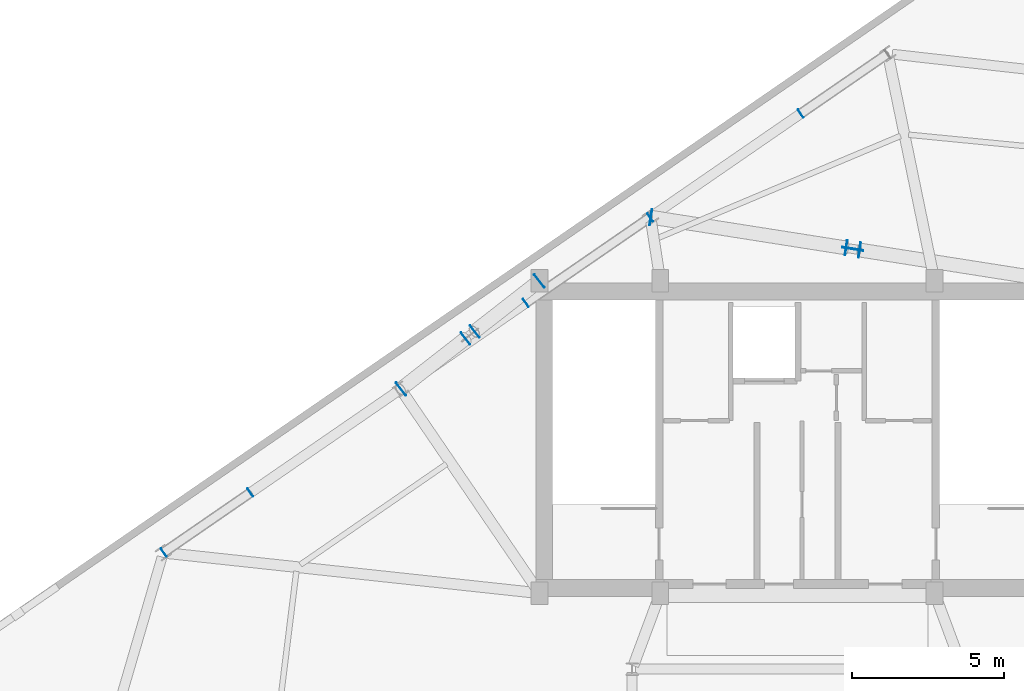
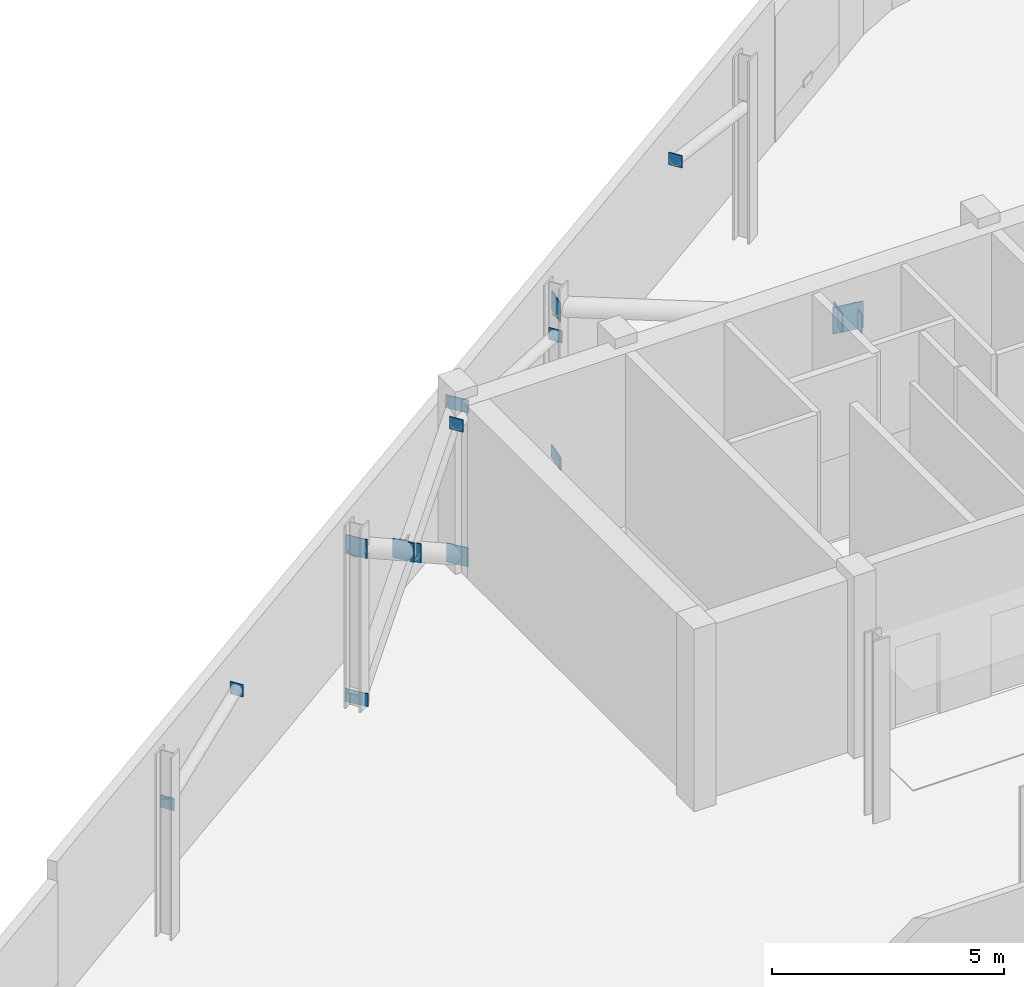
# One storey, part 6 of 10: 16 plates.
"""IFC4 building model written with IfcOpenShell, lengths in metres."""

from ifc_helpers import new_model, si_unit, direction, frame, origin, origin_2d, place, context, subcontext, project, spatial, rectangle, extrude, source, transform, mapped, material, layer, layer_set, type_object, element, save


model = new_model("IFC4")

# Units and contexts
model_context = context("Model", 3, precision=1e-05, world=origin(), true_north=direction((0.0, 1.0)))
body_context = subcontext(model_context, "Body", "Model", "MODEL_VIEW")
ifc_project = project(units=[si_unit("LENGTHUNIT", "METRE"), si_unit("AREAUNIT", "SQUARE_METRE"), si_unit("VOLUMEUNIT", "CUBIC_METRE"), si_unit("PLANEANGLEUNIT", "RADIAN"), si_unit("MASSUNIT", "GRAM", prefix="KILO")], contexts=[model_context])

# Site, building, storey
site_placement = place(None, origin())
site = spatial("IfcSite", under=ifc_project, at=site_placement, CompositionType="ELEMENT")
building_placement = place(site_placement, origin())
building = spatial("IfcBuilding", under=site, at=building_placement, Name="Varnelok Gate Tower", CompositionType="ELEMENT")
storey_placement = place(building_placement, frame((0.0, 0.0, 305.89990234375)))
storey = spatial("IfcBuildingStorey", under=building, at=storey_placement, Name="L78", CompositionType="ELEMENT", Elevation=305.89990234375)

# Plates
ifc_material = material(Name="Structural Steel ASTM A572 Grade 50", Category="steel")
ifc_layer_1 = layer(ifc_material, 0.02490234375)
ifc_layer_set_1 = layer_set([ifc_layer_1], Name="Structural Steel ASTM A572 Grade 50")
plate_type_1 = type_object("IfcPlateType", Name="PLT-ENDCAP-25", PredefinedType="SHEET", material=ifc_layer_set_1)
shared_shape_1 = source(origin(), body_context, "Body", "SweptSolid", [
    extrude(rectangle(XDim=0.02490234375, YDim=0.5400390625, at=origin_2d()), origin(), (0.0, 0.0, 1.0), 0.340087890625),
])
for number, where, z_axis, x_axis, name in (
    (1, (26.12841796875, 35.482421875, 0.0380859375), (0.0, 0.0, 1.0), (0.788354480922, 0.615221271097, 0.0), "L78 hollow member sealed end plate 1"),
    (2, (30.691162109375, 39.04296875, 4.01220703125), (0.0, 0.0, 1.0), (0.788354480922, 0.615221271097, 0.0), "L78 hollow member sealed end plate 2"),
    (3, (34.367919921875, 41.146240234375, 0.0341796875), (0.0, 0.0, 1.0), (0.987865174247, -0.155313867735, 0.0), "L78 hollow member sealed end plate 1"),
):
    element("IfcPlate", number, at=place(storey_placement, frame(where, z_axis=z_axis, x_axis=x_axis)), inside=storey, type_object=plate_type_1, Name=name, PredefinedType="SHEET", context=body_context, shape_type="MappedRepresentation", body=[
        mapped(shared_shape_1, transform((0.0, 0.0, 0.0), scale=1.0)),
    ])
ifc_layer_2 = layer(ifc_material, 0.031982421875)
ifc_layer_set_2 = layer_set([ifc_layer_2], Name="Structural Steel ASTM A572 Grade 50")
plate_type_2 = type_object("IfcPlateType", Name="PLT-GUSSET-32", PredefinedType="USERDEFINED", material=ifc_layer_set_2)
shared_shape_2 = source(origin(), body_context, "Body", "SweptSolid", [
    extrude(rectangle(XDim=0.699951171875, YDim=0.031982421875, at=origin_2d()), origin(), (0.0, 0.0, 1.0), 0.699951171875),
])
plate_placement = place(storey_placement, frame((41.02734375, 40.09912109375, 1.84521484375), z_axis=(0.0, 0.0, 1.0), x_axis=(-0.987865174247, 0.155313867735, 0.0)))
element("IfcPlate", 4, at=plate_placement, inside=storey, type_object=plate_type_2, Name="L78 Outrigger X-Brace Gusset Plate XN-2", ObjectType="GUSSET PLATE", PredefinedType="USERDEFINED", context=body_context, shape_type="MappedRepresentation", body=[
    mapped(shared_shape_2, transform((0.0, 0.0, 0.0), scale=1.0)),
])
shared_shape_3 = source(origin(), body_context, "Body", "SweptSolid", [
    extrude(rectangle(XDim=0.02490234375, YDim=0.5, at=origin_2d()), origin(), (0.0, 0.0, 1.0), 0.5),
])
for number, where, z_axis, x_axis, name in (
    (5, (30.691162109375, 39.04296875, -0.0419921875), (0.0, 0.0, 1.0), (-0.788354480922, -0.615221271097, 0.0), "L78 hollow member sealed end plate 1"),
    (6, (28.5615234375, 37.38134765625, 1.812744140625), (0.0, 0.0, 1.0), (-0.788354480922, -0.615221271097, 0.0), "L78 hollow member sealed end plate 2"),
    (7, (28.2578125, 37.14404296875, 2.077392578125), (0.0, 0.0, 1.0), (-0.788365218438, -0.615207511622, 0.0), "L78 hollow member sealed end plate 1"),
    (8, (26.12841796875, 35.482421875, 3.932373046875), (0.0, 0.0, 1.0), (-0.788365218438, -0.615207511622, 0.0), "L78 hollow member sealed end plate 2"),
    (9, (41.248779296875, 40.064208984375, 1.87890625), (0.0, 0.0, 1.0), (-0.987865174247, 0.155313867735, 0.0), "L78 hollow member sealed end plate 2"),
    (10, (40.805908203125, 40.1337890625, 2.01123046875), (0.0, 0.0, 1.0), (-0.987865174247, 0.155313867735, 0.0), "L78 hollow member sealed end plate 1"),
    (11, (34.367919921875, 41.146240234375, 3.936279296875), (0.0, 0.0, 1.0), (-0.987865174247, 0.155313867735, 0.0), "L78 hollow member sealed end plate 2"),
):
    element("IfcPlate", number, at=place(storey_placement, frame(where, z_axis=z_axis, x_axis=x_axis)), inside=storey, type_object=plate_type_1, Name=name, PredefinedType="SHEET", context=body_context, shape_type="MappedRepresentation", body=[
        mapped(shared_shape_3, transform((0.0, 0.0, 0.0), scale=1.0)),
    ])
shared_shape_4 = source(origin(), body_context, "Body", "SweptSolid", [
    extrude(rectangle(XDim=0.02490234375, YDim=0.320068359375, at=origin_2d()), origin(), (0.0, 0.0, 1.0), 0.320068359375),
])
for number, where, z_axis, x_axis, name in (
    (12, (18.306884765625, 30.093994140625, 3.283203125), (0.0, 0.0, 1.0), (0.823532597628, 0.567268949127, 0.0), "L78 hollow member sealed end plate 1"),
    (13, (21.167236328125, 32.064208984375, 4.0771484375), (0.0, 0.0, 1.0), (0.823532597628, 0.567268949127, 0.0), "L78 hollow member sealed end plate 2"),
    (14, (39.306884765625, 44.559326171875, 4.0771484375), (0.0, 0.0, 1.0), (-0.823542498214, -0.567254575685, 0.0), "L78 hollow member sealed end plate 2"),
    (15, (34.343505859375, 41.140380859375, 3.2822265625), (0.0, 0.0, 1.0), (-0.823522696792, -0.567283322396, 0.0), "L78 hollow member sealed end plate 1"),
    (16, (30.248291015625, 38.319580078125, 4.07763671875), (0.0, 0.0, 1.0), (-0.823522696792, -0.567283322396, 0.0), "L78 hollow member sealed end plate 2"),
):
    element("IfcPlate", number, at=place(storey_placement, frame(where, z_axis=z_axis, x_axis=x_axis)), inside=storey, type_object=plate_type_1, Name=name, PredefinedType="SHEET", context=body_context, shape_type="MappedRepresentation", body=[
        mapped(shared_shape_4, transform((0.0, 0.0, 0.0), scale=1.0)),
    ])

save(model, "model.ifc")
